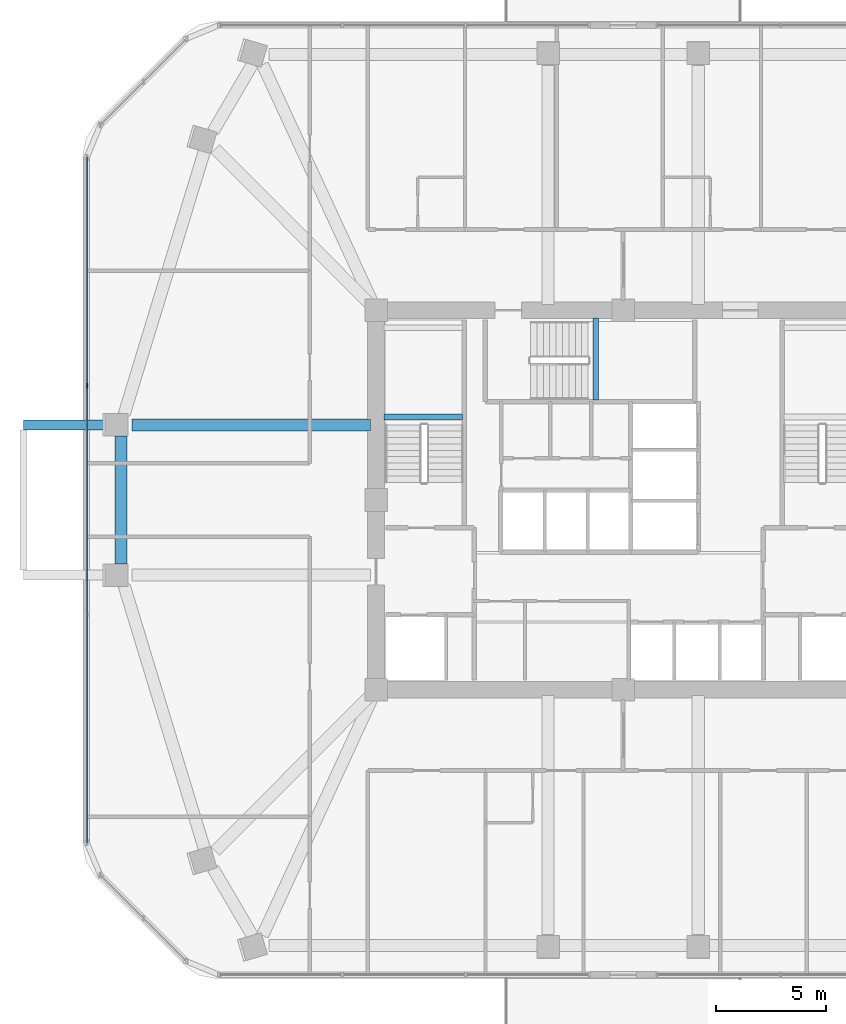
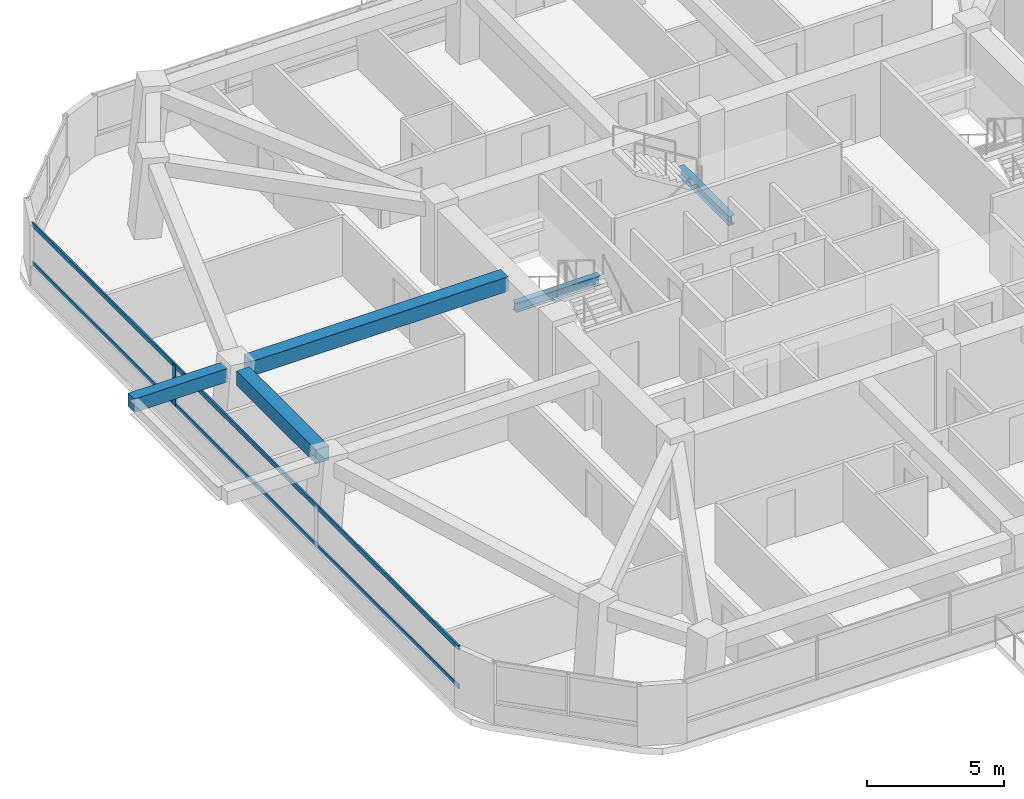
# One storey, part 3 of 13: 5 beams, 3 members, 1 element without a shape of its own.
"""IFC4 building model written with IfcOpenShell, lengths in metres."""

from ifc_helpers import new_model, si_unit, derived_unit, direction, frame, origin, origin_2d, place, context, subcontext, project, spatial, rectangle, i_section, extrude, material, material_profile, profile_set, type_object, element, aggregate, save


model = new_model("IFC4")

# Units and contexts
model_context = context("Model", 3, precision=1e-05, world=origin(), true_north=direction((0.0, 1.0)))
body_context = subcontext(model_context, "Body", "Model", "MODEL_VIEW")
ifc_project = project(units=[si_unit("LENGTHUNIT", "METRE"), si_unit("AREAUNIT", "SQUARE_METRE"), si_unit("VOLUMEUNIT", "CUBIC_METRE"), si_unit("PLANEANGLEUNIT", "RADIAN"), si_unit("MASSUNIT", "GRAM", prefix="KILO"), derived_unit("THERMALTRANSMITTANCEUNIT", [(si_unit("POWERUNIT", "WATT"), 1), (si_unit("LENGTHUNIT", "METRE"), -2), (si_unit("THERMODYNAMICTEMPERATUREUNIT", "KELVIN"), -1)])], contexts=[model_context])

# Site, building, storey
site_placement = place(None, origin())
site = spatial("IfcSite", under=ifc_project, at=site_placement, CompositionType="ELEMENT")
building_placement = place(site_placement, origin())
building = spatial("IfcBuilding", under=site, at=building_placement, Name="Koralith Skygarden Medical Center", CompositionType="ELEMENT")
storey_placement = place(building_placement, frame((0.0, 0.0, 117.179931640625)))
storey = spatial("IfcBuildingStorey", under=building, at=storey_placement, Name="L30", CompositionType="ELEMENT", Elevation=117.179931640625)

# Curtain wall, members
ifc_material_1 = material(Name="Clear Laminated Glass", Category="glass")
curtain_wall_type = type_object("IfcCurtainWallType", Name="CW-3 Zone 2 Faceted Solar Curtain Wall", PredefinedType="NOTDEFINED", material=ifc_material_1)
curtain_wall_placement = place(storey_placement, origin())
curtain_wall = element("IfcCurtainWall", 1, at=curtain_wall_placement, inside=storey, type_object=curtain_wall_type, Name="Curtain Wall CW-L30-W", PredefinedType="NOTDEFINED")
ifc_material_2 = material(Name="Aluminium 6063-T6", Category="aluminium")
ifc_material_profile_1 = material_profile(ifc_material_2, rectangle(XDim=0.073974609375, YDim=0.219970703125, at=origin_2d()), Name="MUL74X220")
ifc_profile_set_1 = profile_set([ifc_material_profile_1], Name="Aluminium 6063-T6")
member_type_1 = type_object("IfcMemberType", Name="CW-3 Extruded Mullion 74x220", PredefinedType="MULLION", material=ifc_profile_set_1)
member_1_placement = place(storey_placement, frame((12.697998046875, 31.0791015625, 0.85009765625), z_axis=(0.0, 0.0, 1.0), x_axis=(1.0, 0.0, 0.0)))
member_1 = element("IfcMember", 2, at=member_1_placement, type_object=member_type_1, Name="CW-L30-W Mullion 2", PredefinedType="MULLION", context=body_context, shape_type="SweptSolid", body=[
    extrude(rectangle(XDim=0.073974609375, YDim=0.219970703125, at=origin_2d()), origin(), (0.0, 0.0, 1.0), 1.820068359375),
])
ifc_material_profile_2 = material_profile(ifc_material_2, rectangle(XDim=0.069091796875, YDim=0.197998046875, at=origin_2d()), Name="TRN69X198")
ifc_profile_set_2 = profile_set([ifc_material_profile_2], Name="Aluminium 6063-T6")
member_type_2 = type_object("IfcMemberType", Name="CW-3 Thermal Transom 69x198", PredefinedType="USERDEFINED", material=ifc_profile_set_2)
member_2_placement = place(storey_placement, frame((12.697998046875, 41.43701171875, 0.900146484375), z_axis=(0.0, -1.0, 0.0), x_axis=(1.0, 0.0, 0.0)))
member_2 = element("IfcMember", 3, at=member_2_placement, type_object=member_type_2, Name="CW-L30-W Transom 1", ObjectType="TRANSOM", PredefinedType="USERDEFINED", context=body_context, shape_type="SweptSolid", body=[
    extrude(rectangle(XDim=0.069091796875, YDim=0.197998046875, at=origin_2d()), origin(), (0.0, 0.0, 1.0), 31.073974609375),
])
member_3_placement = place(storey_placement, frame((12.697998046875, 41.43701171875, 2.6201171875), z_axis=(0.0, -1.0, 0.0), x_axis=(1.0, 0.0, 0.0)))
member_3 = element("IfcMember", 4, at=member_3_placement, type_object=member_type_2, Name="CW-L30-W Transom 2", ObjectType="TRANSOM", PredefinedType="USERDEFINED", context=body_context, shape_type="SweptSolid", body=[
    extrude(rectangle(XDim=0.069091796875, YDim=0.197998046875, at=origin_2d()), origin(), (0.0, 0.0, 1.0), 31.073974609375),
])
aggregate(curtain_wall, [member_1, member_2, member_3])

# Beams
ifc_material_3 = material(Name="Steel ASTM A992 Grade 50", Category="steel")
ifc_material_profile_3 = material_profile(ifc_material_3, i_section(OverallWidth=0.260009765625, OverallDepth=0.4150390625, WebThickness=0.010009765625, FlangeThickness=0.016845703125, at=origin_2d()), Name="W16X67")
ifc_profile_set_3 = profile_set([ifc_material_profile_3], Name="Steel ASTM A992 Grade 50")
beam_type_1 = type_object("IfcBeamType", Name="Clinical Floor Joist W16X67", PredefinedType="JOIST", material=ifc_profile_set_3)
beam_1_placement = place(storey_placement, frame((26.155029296875, 29.659912109375, 1.39306640625), z_axis=(1.0, 0.0, 0.0), x_axis=(0.0, 1.0, 0.0)))
element("IfcBeam", 5, at=beam_1_placement, inside=storey, type_object=beam_type_1, Name="L30 Stair ST1 Half-Landing Support Beam 1A", PredefinedType="JOIST", context=body_context, shape_type="SweptSolid", body=[
    extrude(i_section(OverallWidth=0.260009765625, OverallDepth=0.4150390625, WebThickness=0.010009765625, FlangeThickness=0.016845703125, at=origin_2d()), origin(), (0.0, 0.0, 1.0), 3.56494140625),
])
beam_2_placement = place(storey_placement, frame((35.760009765625, 30.43994140625, 1.39306640625), z_axis=(0.0, 1.0, 0.0), x_axis=(-1.0, 0.0, 0.0)))
element("IfcBeam", 6, at=beam_2_placement, inside=storey, type_object=beam_type_1, Name="L30 Stair ST3 Half-Landing Support Beam 1A", PredefinedType="JOIST", context=body_context, shape_type="SweptSolid", body=[
    extrude(i_section(OverallWidth=0.260009765625, OverallDepth=0.4150390625, WebThickness=0.010009765625, FlangeThickness=0.016845703125, at=origin_2d()), origin(), (0.0, 0.0, 1.0), 3.705078125),
])
ifc_material_4 = material(Name="Concrete C45/55", Category="concrete")
ifc_material_profile_4 = material_profile(ifc_material_4, rectangle(XDim=0.449951171875, YDim=0.60009765625, at=origin_2d()), Name="RCB450X600")
ifc_profile_set_4 = profile_set([ifc_material_profile_4], Name="Concrete C45/55")
beam_type_2 = type_object("IfcBeamType", Name="Planted Balcony Cantilever Beam RCB450X600", PredefinedType="BEAM", material=ifc_profile_set_4)
beam_3_placement = place(storey_placement, frame((13.75, 29.300048828125, 3.0400390625), z_axis=(-1.0, 0.0, 0.0), x_axis=(0.0, -1.0, 0.0)))
element("IfcBeam", 7, at=beam_3_placement, inside=storey, type_object=beam_type_2, Name="L31 W Balcony Cantilever Beam B", PredefinedType="BEAM", context=body_context, shape_type="SweptSolid", body=[
    extrude(rectangle(XDim=0.449951171875, YDim=0.60009765625, at=origin_2d()), origin(), (0.0, 0.0, 1.0), 3.919921875),
])
ifc_material_profile_5 = material_profile(ifc_material_4, rectangle(XDim=0.550048828125, YDim=0.639892578125, at=origin_2d()), Name="RCB550X640")
ifc_profile_set_5 = profile_set([ifc_material_profile_5], Name="Concrete C45/55")
beam_type_3 = type_object("IfcBeamType", Name="Radial Collector Beam RCB550X640", PredefinedType="BEAM", material=ifc_profile_set_5)
beam_4_placement = place(storey_placement, frame((25.550048828125, 29.300048828125, 3.0), z_axis=(-1.0, 0.0, 0.0), x_axis=(0.0, -1.0, 0.0)))
element("IfcBeam", 8, at=beam_4_placement, inside=storey, type_object=beam_type_3, Name="L30 Radial Collector Beam RB-16", PredefinedType="BEAM", context=body_context, shape_type="SweptSolid", body=[
    extrude(rectangle(XDim=0.550048828125, YDim=0.639892578125, at=origin_2d()), origin(), (0.0, 0.0, 1.0), 10.81005859375),
])
ifc_material_profile_6 = material_profile(ifc_material_4, rectangle(XDim=0.550048828125, YDim=0.639892578125, at=origin_2d()), Name="RCB550X640")
ifc_profile_set_6 = profile_set([ifc_material_profile_6], Name="Concrete C45/55")
beam_type_4 = type_object("IfcBeamType", Name="Zone 2-3 Spandrel Beam RCB550X640", PredefinedType="SPANDREL", material=ifc_profile_set_6)
beam_5_placement = place(storey_placement, frame((14.239990234375, 28.800048828125, 3.0), z_axis=(0.0, -1.0, 0.0), x_axis=(1.0, 0.0, 0.0)))
element("IfcBeam", 9, at=beam_5_placement, inside=storey, type_object=beam_type_4, Name="L30 Perimeter Spandrel Beam SP-16", PredefinedType="SPANDREL", context=body_context, shape_type="SweptSolid", body=[
    extrude(rectangle(XDim=0.550048828125, YDim=0.639892578125, at=origin_2d()), origin(), (0.0, 0.0, 1.0), 5.800048828125),
])

save(model, "model.ifc")
